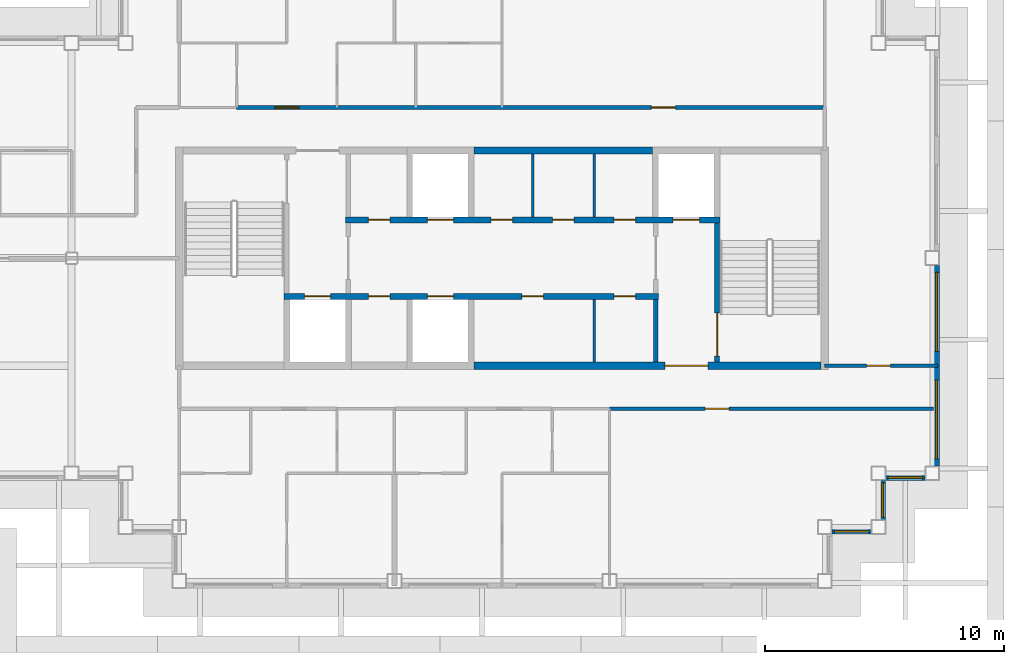
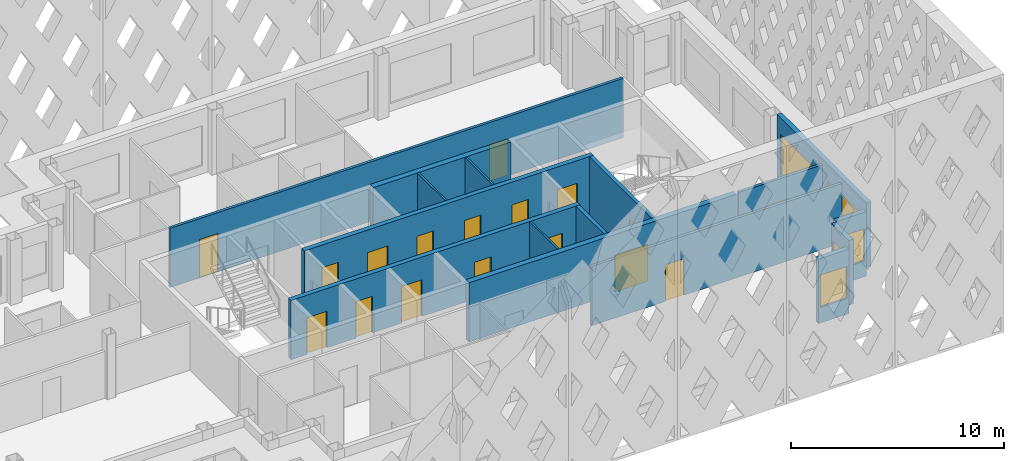
# One storey, part 5 of 15: 17 doors, 16 walls, 5 windows, 22 openings.
"""IFC4 building model written with IfcOpenShell, lengths in metres."""

from ifc_helpers import new_model, si_unit, direction, frame, frame_2d, origin, place, context, subcontext, project, spatial, rectangle, extrude, material, layer, layer_set, type_object, element, fill, save


model = new_model("IFC4")

# Units and contexts
model_context = context("Model", 3, precision=1e-05, world=origin(), true_north=direction((0.0, 1.0)))
body_context = subcontext(model_context, "Body", "Model", "MODEL_VIEW")
ifc_project = project(units=[si_unit("LENGTHUNIT", "METRE"), si_unit("AREAUNIT", "SQUARE_METRE"), si_unit("VOLUMEUNIT", "CUBIC_METRE"), si_unit("PLANEANGLEUNIT", "RADIAN"), si_unit("MASSUNIT", "GRAM", prefix="KILO")], contexts=[model_context])

# Site, building, storey
site_placement = place(None, origin())
site = spatial("IfcSite", under=ifc_project, at=site_placement, CompositionType="ELEMENT")
building_placement = place(site_placement, origin())
building = spatial("IfcBuilding", under=site, at=building_placement, Name="Caravel Reach Hotel and Residences", CompositionType="ELEMENT")
storey_placement = place(building_placement, frame((0.0, 0.0, 252.699951171875)))
storey = spatial("IfcBuildingStorey", under=building, at=storey_placement, Name="L64", CompositionType="ELEMENT", Elevation=252.699951171875)

# Wall
ifc_material_1 = material(Name="Autoclaved aerated block wall")
ifc_layer_1 = layer(ifc_material_1, 0.199951171875)
ifc_layer_set_1 = layer_set([ifc_layer_1], Name="Compartment wall 200 mm EI 120")
wall_type_1 = type_object("IfcWallType", Name="Compartment wall 200 mm EI 120", PredefinedType="PARTITIONING", material=ifc_layer_set_1)
wall_1_placement = place(storey_placement, frame((37.928466796875, 22.64990234375, 0.0), z_axis=(0.0, 0.0, 1.0), x_axis=(0.0, 1.0, 0.0)))
element("IfcWall", 1, at=wall_1_placement, inside=storey, type_object=wall_type_1, Name="L64 store partition", PredefinedType="PARTITIONING", context=body_context, shape_type="SweptSolid", body=[
    extrude(rectangle(XDim=2.625, YDim=0.199951171875, at=frame_2d((1.3125, 0.0))), origin(), (0.0, 0.0, 1.0), 3.400146484375),
])

# Wall, opening, door
ifc_material_2 = material(Name="Concrete C60", Category="concrete")
ifc_layer_2 = layer(ifc_material_2, 0.300048828125)
ifc_layer_set_2 = layer_set([ifc_layer_2], Name="Core wall 300 mm EI 120")
wall_type_2 = type_object("IfcWallType", Name="Core wall 300 mm EI 120", PredefinedType="SHEAR", material=ifc_layer_set_2)
wall_2_placement = place(storey_placement, frame((30.33935546875, 22.5, 0.0), z_axis=(0.0, 0.0, 1.0), x_axis=(1.0, 0.0, 0.0)))
wall_2 = element("IfcWall", 2, at=wall_2_placement, inside=storey, type_object=wall_type_2, Name="L64 core wall S3", PredefinedType="SHEAR", context=body_context, shape_type="SweptSolid", body=[
    extrude(rectangle(XDim=14.5107421875, YDim=0.300048828125, at=frame_2d((7.25537109375, 0.0))), origin(), (0.0, 0.0, 1.0), 3.400146484375),
])
opening_1_placement = place(wall_2_placement, frame((7.97509765625, 0.0, 0.0)))
opening_1 = element("IfcOpeningElement", 3, at=opening_1_placement, cuts=wall_2, Name="Opening D64-017", PredefinedType="OPENING", context=body_context, shape_type="SweptSolid", body=[
    extrude(rectangle(XDim=1.800048828125, YDim=2.10009765625, at=frame_2d((0.89990234375, 1.050048828125))), frame((0.0, 0.159912109375, 0.0), z_axis=(0.0, -1.0, 0.0), x_axis=(1.0, 0.0, 0.0)), (0.0, 0.0, 1.0), 0.320068359375),
])
ifc_material_3 = material(Name="Steel fire door leaf", Category="steel")
door_type_1 = type_object("IfcDoorType", Name="Fire lobby door pair 1800 x 2100 EI 90", OperationType="DOUBLE_DOOR_SINGLE_SWING", PredefinedType="DOOR", material=ifc_material_3)
door_1_placement = place(opening_1_placement, origin())
door_1 = element("IfcDoor", 4, at=door_1_placement, inside=storey, type_object=door_type_1, Name="lobby S door pair to corridor", OperationType="DOUBLE_DOOR_SINGLE_SWING", OverallHeight=2.10009765625, OverallWidth=1.800048828125, PredefinedType="DOOR", context=body_context, shape_type="SweptSolid", body=[
    extrude(rectangle(XDim=1.800048828125, YDim=2.10009765625, at=frame_2d((0.89990234375, 1.050048828125))), frame((0.0, 0.02490234375, 0.0), z_axis=(0.0, -1.0, 0.0), x_axis=(1.0, 0.0, 0.0)), (0.0, 0.0, 1.0), 0.050048828125),
])
fill(opening_1, door_1)

# Wall
wall_3_placement = place(storey_placement, frame((30.33935546875, 31.5, 0.0), z_axis=(0.0, 0.0, 1.0), x_axis=(1.0, 0.0, 0.0)))
element("IfcWall", 5, at=wall_3_placement, inside=storey, type_object=wall_type_2, Name="L64 core wall N2", PredefinedType="SHEAR", context=body_context, shape_type="SweptSolid", body=[
    extrude(rectangle(XDim=7.464111328125, YDim=0.300048828125, at=frame_2d((3.73193359375, 0.0))), origin(), (0.0, 0.0, 1.0), 3.400146484375),
])

# Wall, opening, door
ifc_material_4 = material(Name="Gypsum board on steel stud, fire-rated", Category="steel")
ifc_layer_3 = layer(ifc_material_4, 0.14990234375)
ifc_layer_set_3 = layer_set([ifc_layer_3], Name="Corridor wall 150 mm EI 60")
wall_type_3 = type_object("IfcWallType", Name="Corridor wall 150 mm EI 60", PredefinedType="PARTITIONING", material=ifc_layer_set_3)
wall_4_placement = place(storey_placement, frame((36.0, 20.699951171875, 0.0), z_axis=(0.0, 0.0, 1.0), x_axis=(1.0, 0.0, 0.0)))
wall_4 = element("IfcWall", 6, at=wall_4_placement, inside=storey, type_object=wall_type_3, Name="L64 wall w005", PredefinedType="PARTITIONING", context=body_context, shape_type="SweptSolid", body=[
    extrude(rectangle(XDim=13.550048828125, YDim=0.14990234375, at=frame_2d((6.77490234375, 0.0))), origin(), (0.0, 0.0, 1.0), 3.400146484375),
])
opening_2_placement = place(wall_4_placement, frame((4.0, 0.0, 0.0)))
opening_2 = element("IfcOpeningElement", 7, at=opening_2_placement, cuts=wall_4, Name="Opening D64-038", PredefinedType="OPENING", context=body_context, shape_type="SweptSolid", body=[
    extrude(rectangle(XDim=1.0, YDim=2.10009765625, at=frame_2d((0.5, 1.050048828125))), frame((0.0, 0.0849609375, 0.0), z_axis=(0.0, -1.0, 0.0), x_axis=(1.0, 0.0, 0.0)), (0.0, 0.0, 1.0), 0.169921875),
])
ifc_material_5 = material(Name="Steel fire door leaf", Category="steel")
door_type_2 = type_object("IfcDoorType", Name="Fire door 1000 x 2100 EI 60", OperationType="SINGLE_SWING_LEFT", PredefinedType="DOOR", material=ifc_material_5)
door_2_placement = place(opening_2_placement, origin())
door_2 = element("IfcDoor", 8, at=door_2_placement, inside=storey, type_object=door_type_2, Name="door D64-038", OperationType="SINGLE_SWING_LEFT", OverallHeight=2.10009765625, OverallWidth=1.0, PredefinedType="DOOR", context=body_context, shape_type="SweptSolid", body=[
    extrude(rectangle(XDim=1.0, YDim=2.10009765625, at=frame_2d((0.5, 1.050048828125))), frame((0.0, 0.02490234375, 0.0), z_axis=(0.0, -1.0, 0.0), x_axis=(1.0, 0.0, 0.0)), (0.0, 0.0, 1.0), 0.050048828125),
])
fill(opening_2, door_2)

wall_5_placement = place(storey_placement, frame((45.0, 22.5, 0.0), z_axis=(0.0, 0.0, 1.0), x_axis=(1.0, 0.0, 0.0)))
wall_5 = element("IfcWall", 9, at=wall_5_placement, inside=storey, type_object=wall_type_3, Name="L64 wall w007", PredefinedType="PARTITIONING", context=body_context, shape_type="SweptSolid", body=[
    extrude(rectangle(XDim=4.739990234375, YDim=0.14990234375, at=frame_2d((2.3701171875, 0.0))), origin(), (0.0, 0.0, 1.0), 3.400146484375),
])
opening_3_placement = place(wall_5_placement, frame((1.75, 0.0, 0.0)))
opening_3 = element("IfcOpeningElement", 10, at=opening_3_placement, cuts=wall_5, Name="Opening D64-040", PredefinedType="OPENING", context=body_context, shape_type="SweptSolid", body=[
    extrude(rectangle(XDim=1.0, YDim=2.10009765625, at=frame_2d((0.5, 1.050048828125))), frame((0.0, 0.0849609375, 0.0), z_axis=(0.0, -1.0, 0.0), x_axis=(1.0, 0.0, 0.0)), (0.0, 0.0, 1.0), 0.169921875),
])
door_3_placement = place(opening_3_placement, origin())
door_3 = element("IfcDoor", 11, at=door_3_placement, inside=storey, type_object=door_type_2, Name="door D64-040", OperationType="SINGLE_SWING_RIGHT", OverallHeight=2.10009765625, OverallWidth=1.0, PredefinedType="DOOR", context=body_context, shape_type="SweptSolid", body=[
    extrude(rectangle(XDim=1.0, YDim=2.10009765625, at=frame_2d((0.5, 1.050048828125))), frame((0.0, 0.02490234375, 0.0), z_axis=(0.0, -1.0, 0.0), x_axis=(1.0, 0.0, 0.0)), (0.0, 0.0, 1.0), 0.050048828125),
])
fill(opening_3, door_3)

# Wall, openings, doors
wall_6_placement = place(storey_placement, frame((20.39990234375, 33.300048828125, 0.0), z_axis=(0.0, 0.0, 1.0), x_axis=(1.0, 0.0, 0.0)))
wall_6 = element("IfcWall", 12, at=wall_6_placement, inside=storey, type_object=wall_type_3, Name="L64 wall w012", PredefinedType="PARTITIONING", context=body_context, shape_type="SweptSolid", body=[
    extrude(rectangle(XDim=24.60009765625, YDim=0.14990234375, at=frame_2d((12.300048828125, 0.0))), origin(), (0.0, 0.0, 1.0), 3.400146484375),
])
opening_4_placement = place(wall_6_placement, frame((1.60009765625, 0.0, 0.0)))
opening_4 = element("IfcOpeningElement", 13, at=opening_4_placement, cuts=wall_6, Name="Opening D64-018", PredefinedType="OPENING", context=body_context, shape_type="SweptSolid", body=[
    extrude(rectangle(XDim=1.0, YDim=2.199951171875, at=frame_2d((0.5, 1.10009765625))), frame((0.0, 0.0849609375, 0.0), z_axis=(0.0, -1.0, 0.0), x_axis=(1.0, 0.0, 0.0)), (0.0, 0.0, 1.0), 0.169921875),
])
opening_5_placement = place(wall_6_placement, frame((17.35009765625, 0.0, 0.0)))
opening_5 = element("IfcOpeningElement", 14, at=opening_5_placement, cuts=wall_6, Name="Opening D64-024", PredefinedType="OPENING", context=body_context, shape_type="SweptSolid", body=[
    extrude(rectangle(XDim=1.0, YDim=2.10009765625, at=frame_2d((0.5, 1.050048828125))), frame((0.0, 0.0849609375, 0.0), z_axis=(0.0, -1.0, 0.0), x_axis=(1.0, 0.0, 0.0)), (0.0, 0.0, 1.0), 0.169921875),
])
door_4_placement = place(opening_5_placement, origin())
door_4 = element("IfcDoor", 15, at=door_4_placement, inside=storey, type_object=door_type_2, Name="door D64-024", OperationType="SINGLE_SWING_RIGHT", OverallHeight=2.10009765625, OverallWidth=1.0, PredefinedType="DOOR", context=body_context, shape_type="SweptSolid", body=[
    extrude(rectangle(XDim=1.0, YDim=2.10009765625, at=frame_2d((0.5, 1.050048828125))), frame((0.0, 0.02490234375, 0.0), z_axis=(0.0, -1.0, 0.0), x_axis=(1.0, 0.0, 0.0)), (0.0, 0.0, 1.0), 0.050048828125),
])
fill(opening_5, door_4)
ifc_material_6 = material(Name="Steel fire door leaf", Category="steel")
door_type_3 = type_object("IfcDoorType", Name="Flat entrance door 1000 x 2200 EI 60", OperationType="SINGLE_SWING_LEFT", PredefinedType="DOOR", material=ifc_material_6)
door_5_placement = place(opening_4_placement, origin())
door_5 = element("IfcDoor", 16, at=door_5_placement, inside=storey, type_object=door_type_3, Name="door D64-018", OperationType="SINGLE_SWING_RIGHT", OverallHeight=2.199951171875, OverallWidth=1.0, PredefinedType="DOOR", context=body_context, shape_type="SweptSolid", body=[
    extrude(rectangle(XDim=1.0, YDim=2.199951171875, at=frame_2d((0.5, 1.10009765625))), frame((0.0, 0.02490234375, 0.0), z_axis=(0.0, -1.0, 0.0), x_axis=(1.0, 0.0, 0.0)), (0.0, 0.0, 1.0), 0.050048828125),
])
fill(opening_4, door_5)

# Wall, opening, window
ifc_material_7 = material(Name="Insulated rainscreen wall, aluminium cladding", Category="aluminium")
ifc_layer_4 = layer(ifc_material_7, 0.25)
ifc_layer_set_4 = layer_set([ifc_layer_4], Name="EW1 Tower rainscreen wall")
wall_type_4 = type_object("IfcWallType", Name="EW1 Tower rainscreen wall", PredefinedType="SOLIDWALL", material=ifc_layer_set_4)
wall_7_placement = place(storey_placement, frame((45.300048828125, 15.574951171875, 0.0), z_axis=(0.0, 0.0, 1.0), x_axis=(1.0, 0.0, 0.0)))
wall_7 = element("IfcWall", 17, at=wall_7_placement, inside=storey, type_object=wall_type_4, Name="External wall L64 S6.1", PredefinedType="SOLIDWALL", context=body_context, shape_type="SweptSolid", body=[
    extrude(rectangle(XDim=1.64990234375, YDim=0.25, at=frame_2d((0.824951171875, 0.0))), origin(), (0.0, 0.0, 1.0), 3.699951171875),
])
opening_6_placement = place(wall_7_placement, frame((0.10009765625, 0.0, 0.89990234375)))
opening_6 = element("IfcOpeningElement", 18, at=opening_6_placement, cuts=wall_7, Name="Opening WN25", PredefinedType="OPENING", context=body_context, shape_type="SweptSolid", body=[
    extrude(rectangle(XDim=1.449951171875, YDim=1.85009765625, at=frame_2d((0.72509765625, 0.925048828125))), frame((0.0, 0.135009765625, 0.0), z_axis=(0.0, -1.0, 0.0), x_axis=(1.0, 0.0, 0.0)), (0.0, 0.0, 1.0), 0.27001953125),
])
ifc_material_8 = material(Name="Dark low-e glazing in black aluminium frame", Category="aluminium")
window_type_1 = type_object("IfcWindowType", Name="Residence bedroom window 1450 x 1850", PartitioningType="SINGLE_PANEL", PredefinedType="WINDOW", material=ifc_material_8)
window_1_placement = place(opening_6_placement, origin())
window_1 = element("IfcWindow", 19, at=window_1_placement, inside=storey, type_object=window_type_1, Name="Window L64 S6.1.1", OverallHeight=1.85009765625, OverallWidth=1.449951171875, PartitioningType="SINGLE_PANEL", PredefinedType="WINDOW", context=body_context, shape_type="SweptSolid", body=[
    extrude(rectangle(XDim=1.449951171875, YDim=1.85009765625, at=frame_2d((0.72509765625, 0.925048828125))), frame((0.0, 0.030029296875, 0.0), z_axis=(0.0, -1.0, 0.0), x_axis=(1.0, 0.0, 0.0)), (0.0, 0.0, 1.0), 0.06005859375),
])
fill(opening_6, window_1)

wall_8_placement = place(storey_placement, frame((47.425048828125, 16.050048828125, 0.0), z_axis=(0.0, 0.0, 1.0), x_axis=(0.0, 1.0, 0.0)))
wall_8 = element("IfcWall", 20, at=wall_8_placement, inside=storey, type_object=wall_type_4, Name="External wall L64 E7.1", PredefinedType="SOLIDWALL", context=body_context, shape_type="SweptSolid", body=[
    extrude(rectangle(XDim=1.64990234375, YDim=0.25, at=frame_2d((0.824951171875, 0.0))), origin(), (0.0, 0.0, 1.0), 3.699951171875),
])
opening_7_placement = place(wall_8_placement, frame((0.10009765625, 0.0, 0.89990234375)))
opening_7 = element("IfcOpeningElement", 21, at=opening_7_placement, cuts=wall_8, Name="Opening WN25", PredefinedType="OPENING", context=body_context, shape_type="SweptSolid", body=[
    extrude(rectangle(XDim=1.449951171875, YDim=1.85009765625, at=frame_2d((0.72509765625, 0.925048828125))), frame((0.0, 0.135009765625, 0.0), z_axis=(0.0, -1.0, 0.0), x_axis=(1.0, 0.0, 0.0)), (0.0, 0.0, 1.0), 0.27001953125),
])
window_2_placement = place(opening_7_placement, origin())
window_2 = element("IfcWindow", 22, at=window_2_placement, inside=storey, type_object=window_type_1, Name="Window L64 E7.1.1", OverallHeight=1.85009765625, OverallWidth=1.449951171875, PartitioningType="SINGLE_PANEL", PredefinedType="WINDOW", context=body_context, shape_type="SweptSolid", body=[
    extrude(rectangle(XDim=1.449951171875, YDim=1.85009765625, at=frame_2d((0.72509765625, 0.925048828125))), frame((0.0, 0.030029296875, 0.0), z_axis=(0.0, -1.0, 0.0), x_axis=(1.0, 0.0, 0.0)), (0.0, 0.0, 1.0), 0.06005859375),
])
fill(opening_7, window_2)

wall_9_placement = place(storey_placement, frame((47.550048828125, 17.824951171875, 0.0), z_axis=(0.0, 0.0, 1.0), x_axis=(1.0, 0.0, 0.0)))
wall_9 = element("IfcWall", 23, at=wall_9_placement, inside=storey, type_object=wall_type_4, Name="External wall L64 S8.1", PredefinedType="SOLIDWALL", context=body_context, shape_type="SweptSolid", body=[
    extrude(rectangle(XDim=1.64990234375, YDim=0.25, at=frame_2d((0.824951171875, 0.0))), origin(), (0.0, 0.0, 1.0), 3.699951171875),
])
opening_8_placement = place(wall_9_placement, frame((0.10009765625, 0.0, 0.89990234375)))
opening_8 = element("IfcOpeningElement", 24, at=opening_8_placement, cuts=wall_9, Name="Opening WN25", PredefinedType="OPENING", context=body_context, shape_type="SweptSolid", body=[
    extrude(rectangle(XDim=1.449951171875, YDim=1.85009765625, at=frame_2d((0.72509765625, 0.925048828125))), frame((0.0, 0.135009765625, 0.0), z_axis=(0.0, -1.0, 0.0), x_axis=(1.0, 0.0, 0.0)), (0.0, 0.0, 1.0), 0.27001953125),
])
window_3_placement = place(opening_8_placement, origin())
window_3 = element("IfcWindow", 25, at=window_3_placement, inside=storey, type_object=window_type_1, Name="Window L64 S8.1.1", OverallHeight=1.85009765625, OverallWidth=1.449951171875, PartitioningType="SINGLE_PANEL", PredefinedType="WINDOW", context=body_context, shape_type="SweptSolid", body=[
    extrude(rectangle(XDim=1.449951171875, YDim=1.85009765625, at=frame_2d((0.72509765625, 0.925048828125))), frame((0.0, 0.030029296875, 0.0), z_axis=(0.0, -1.0, 0.0), x_axis=(1.0, 0.0, 0.0)), (0.0, 0.0, 1.0), 0.06005859375),
])
fill(opening_8, window_3)

# Wall, openings, windows
wall_10_placement = place(storey_placement, frame((49.675048828125, 18.300048828125, 0.0), z_axis=(0.0, 0.0, 1.0), x_axis=(0.0, 1.0, 0.0)))
wall_10 = element("IfcWall", 26, at=wall_10_placement, inside=storey, type_object=wall_type_4, Name="External wall L64 E9.1", PredefinedType="SOLIDWALL", context=body_context, shape_type="SweptSolid", body=[
    extrude(rectangle(XDim=8.39990234375, YDim=0.25, at=frame_2d((4.199951171875, 0.0))), origin(), (0.0, 0.0, 1.0), 3.699951171875),
])
opening_9_placement = place(wall_10_placement, frame((0.300048828125, 0.0, 0.449951171875)))
opening_9 = element("IfcOpeningElement", 27, at=opening_9_placement, cuts=wall_10, Name="Opening WN15", PredefinedType="OPENING", context=body_context, shape_type="SweptSolid", body=[
    extrude(rectangle(XDim=3.300048828125, YDim=2.300048828125, at=frame_2d((1.64990234375, 1.14990234375))), frame((0.0, 0.135009765625, 0.0), z_axis=(0.0, -1.0, 0.0), x_axis=(1.0, 0.0, 0.0)), (0.0, 0.0, 1.0), 0.27001953125),
])
opening_10_placement = place(wall_10_placement, frame((4.800048828125, 0.0, 0.449951171875)))
opening_10 = element("IfcOpeningElement", 28, at=opening_10_placement, cuts=wall_10, Name="Opening WN15", PredefinedType="OPENING", context=body_context, shape_type="SweptSolid", body=[
    extrude(rectangle(XDim=3.300048828125, YDim=2.300048828125, at=frame_2d((1.64990234375, 1.14990234375))), frame((0.0, 0.135009765625, 0.0), z_axis=(0.0, -1.0, 0.0), x_axis=(1.0, 0.0, 0.0)), (0.0, 0.0, 1.0), 0.27001953125),
])
ifc_material_9 = material(Name="Dark low-e glazing in black aluminium frame", Category="aluminium")
window_type_2 = type_object("IfcWindowType", Name="Residence living window 3300 x 2300", PartitioningType="SINGLE_PANEL", PredefinedType="WINDOW", material=ifc_material_9)
window_4_placement = place(opening_9_placement, origin())
window_4 = element("IfcWindow", 29, at=window_4_placement, inside=storey, type_object=window_type_2, Name="Window L64 E9.1.1", OverallHeight=2.300048828125, OverallWidth=3.300048828125, PartitioningType="SINGLE_PANEL", PredefinedType="WINDOW", context=body_context, shape_type="SweptSolid", body=[
    extrude(rectangle(XDim=3.300048828125, YDim=2.300048828125, at=frame_2d((1.64990234375, 1.14990234375))), frame((0.0, 0.030029296875, 0.0), z_axis=(0.0, -1.0, 0.0), x_axis=(1.0, 0.0, 0.0)), (0.0, 0.0, 1.0), 0.06005859375),
])
fill(opening_9, window_4)
window_5_placement = place(opening_10_placement, origin())
window_5 = element("IfcWindow", 30, at=window_5_placement, inside=storey, type_object=window_type_2, Name="Window L64 E9.1.2", OverallHeight=2.300048828125, OverallWidth=3.300048828125, PartitioningType="SINGLE_PANEL", PredefinedType="WINDOW", context=body_context, shape_type="SweptSolid", body=[
    extrude(rectangle(XDim=3.300048828125, YDim=2.300048828125, at=frame_2d((1.64990234375, 1.14990234375))), frame((0.0, 0.030029296875, 0.0), z_axis=(0.0, -1.0, 0.0), x_axis=(1.0, 0.0, 0.0)), (0.0, 0.0, 1.0), 0.06005859375),
])
fill(opening_10, window_5)

# Walls
ifc_material_10 = material(Name="Gypsum board on steel stud", Category="steel")
ifc_layer_5 = layer(ifc_material_10, 0.10009765625)
ifc_layer_set_5 = layer_set([ifc_layer_5], Name="Partition 100 mm")
wall_type_5 = type_object("IfcWallType", Name="Partition 100 mm", PredefinedType="PARTITIONING", material=ifc_layer_set_5)
for number, where, z_axis, x_axis, name in (
    (31, (35.357177734375, 22.64990234375, 0.0), (0.0, 0.0, 1.0), (0.0, 1.0, 0.0), "L64 store partition"),
    (32, (32.78564453125, 28.72509765625, 0.0), (0.0, 0.0, 1.0), (0.0, 1.0, 0.0), "L64 store partition"),
    (33, (35.357177734375, 28.72509765625, 0.0), (0.0, 0.0, 1.0), (0.0, 1.0, 0.0), "L64 store partition"),
):
    element("IfcWall", number, at=place(storey_placement, frame(where, z_axis=z_axis, x_axis=x_axis)), inside=storey, type_object=wall_type_5, Name=name, PredefinedType="PARTITIONING", context=body_context, shape_type="SweptSolid", body=[
        extrude(rectangle(XDim=2.625, YDim=0.10009765625, at=frame_2d((1.3125, 0.0))), origin(), (0.0, 0.0, 1.0), 3.400146484375),
    ])

# Wall, openings, doors
ifc_material_11 = material(Name="Concrete C60", Category="concrete")
ifc_layer_6 = layer(ifc_material_11, 0.25)
ifc_layer_set_6 = layer_set([ifc_layer_6], Name="Shaft wall 250 mm EI 120")
wall_type_6 = type_object("IfcWallType", Name="Shaft wall 250 mm EI 120", PredefinedType="SHEAR", material=ifc_layer_set_6)
wall_11_placement = place(storey_placement, frame((22.375, 25.39990234375, 0.0), z_axis=(0.0, 0.0, 1.0), x_axis=(1.0, 0.0, 0.0)))
wall_11 = element("IfcWall", 34, at=wall_11_placement, inside=storey, type_object=wall_type_6, Name="L64 lobby wall S1", PredefinedType="SHEAR", context=body_context, shape_type="SweptSolid", body=[
    extrude(rectangle(XDim=15.678466796875, YDim=0.25, at=frame_2d((7.83935546875, 0.0))), origin(), (0.0, 0.0, 1.0), 3.400146484375),
])
opening_11_placement = place(wall_11_placement, frame((6.003662109375, 0.0, 0.0)))
opening_11 = element("IfcOpeningElement", 35, at=opening_11_placement, cuts=wall_11, Name="Opening D64-001", PredefinedType="OPENING", context=body_context, shape_type="SweptSolid", body=[
    extrude(rectangle(XDim=1.10009765625, YDim=2.10009765625, at=frame_2d((0.550048828125, 1.050048828125))), frame((0.0, 0.135009765625, 0.0), z_axis=(0.0, -1.0, 0.0), x_axis=(1.0, 0.0, 0.0)), (0.0, 0.0, 1.0), 0.27001953125),
])
opening_12_placement = place(wall_11_placement, frame((0.860595703125, 0.0, 0.0)))
opening_12 = element("IfcOpeningElement", 36, at=opening_12_placement, cuts=wall_11, Name="Opening D64-003", PredefinedType="OPENING", context=body_context, shape_type="SweptSolid", body=[
    extrude(rectangle(XDim=1.10009765625, YDim=2.10009765625, at=frame_2d((0.550048828125, 1.050048828125))), frame((0.0, 0.135009765625, 0.0), z_axis=(0.0, -1.0, 0.0), x_axis=(1.0, 0.0, 0.0)), (0.0, 0.0, 1.0), 0.27001953125),
])
opening_13_placement = place(wall_11_placement, frame((3.531982421875, 0.0, 0.0)))
opening_13 = element("IfcOpeningElement", 37, at=opening_13_placement, cuts=wall_11, Name="Opening D64-005", PredefinedType="OPENING", context=body_context, shape_type="SweptSolid", body=[
    extrude(rectangle(XDim=0.89990234375, YDim=2.10009765625, at=frame_2d((0.449951171875, 1.050048828125))), frame((0.0, 0.135009765625, 0.0), z_axis=(0.0, -1.0, 0.0), x_axis=(1.0, 0.0, 0.0)), (0.0, 0.0, 1.0), 0.27001953125),
])
opening_14_placement = place(wall_11_placement, frame((9.960693359375, 0.0, 0.0)))
opening_14 = element("IfcOpeningElement", 38, at=opening_14_placement, cuts=wall_11, Name="Opening D64-006", PredefinedType="OPENING", context=body_context, shape_type="SweptSolid", body=[
    extrude(rectangle(XDim=0.89990234375, YDim=2.10009765625, at=frame_2d((0.449951171875, 1.050048828125))), frame((0.0, 0.135009765625, 0.0), z_axis=(0.0, -1.0, 0.0), x_axis=(1.0, 0.0, 0.0)), (0.0, 0.0, 1.0), 0.27001953125),
])
opening_15_placement = place(wall_11_placement, frame((13.81787109375, 0.0, 0.0)))
opening_15 = element("IfcOpeningElement", 39, at=opening_15_placement, cuts=wall_11, Name="Opening D64-007", PredefinedType="OPENING", context=body_context, shape_type="SweptSolid", body=[
    extrude(rectangle(XDim=0.89990234375, YDim=2.10009765625, at=frame_2d((0.449951171875, 1.050048828125))), frame((0.0, 0.135009765625, 0.0), z_axis=(0.0, -1.0, 0.0), x_axis=(1.0, 0.0, 0.0)), (0.0, 0.0, 1.0), 0.27001953125),
])
ifc_material_12 = material(Name="Stainless steel landing door", Category="steel")
door_type_4 = type_object("IfcDoorType", Name="Landing door LD 1100 x 2100 sliding", OperationType="DOUBLE_DOOR_SLIDING", PredefinedType="DOOR", material=ifc_material_12)
door_6_placement = place(opening_11_placement, origin())
door_6 = element("IfcDoor", 40, at=door_6_placement, inside=storey, type_object=door_type_4, Name="HP1 landing door", OperationType="DOUBLE_DOOR_SLIDING", OverallHeight=2.10009765625, OverallWidth=1.10009765625, PredefinedType="DOOR", context=body_context, shape_type="SweptSolid", body=[
    extrude(rectangle(XDim=1.10009765625, YDim=2.10009765625, at=frame_2d((0.550048828125, 1.050048828125))), frame((0.0, 0.02490234375, 0.0), z_axis=(0.0, -1.0, 0.0), x_axis=(1.0, 0.0, 0.0)), (0.0, 0.0, 1.0), 0.050048828125),
])
fill(opening_11, door_6)
door_7_placement = place(opening_12_placement, origin())
door_7 = element("IfcDoor", 41, at=door_7_placement, inside=storey, type_object=door_type_4, Name="FL1 landing door", OperationType="DOUBLE_DOOR_SLIDING", OverallHeight=2.10009765625, OverallWidth=1.10009765625, PredefinedType="DOOR", context=body_context, shape_type="SweptSolid", body=[
    extrude(rectangle(XDim=1.10009765625, YDim=2.10009765625, at=frame_2d((0.550048828125, 1.050048828125))), frame((0.0, 0.02490234375, 0.0), z_axis=(0.0, -1.0, 0.0), x_axis=(1.0, 0.0, 0.0)), (0.0, 0.0, 1.0), 0.050048828125),
])
fill(opening_12, door_7)
ifc_material_13 = material(Name="Steel fire door leaf", Category="steel")
door_type_5 = type_object("IfcDoorType", Name="Riser door 900 x 2100 EI 60", OperationType="SINGLE_SWING_LEFT", PredefinedType="DOOR", material=ifc_material_13)
door_8_placement = place(opening_13_placement, origin())
door_8 = element("IfcDoor", 42, at=door_8_placement, inside=storey, type_object=door_type_5, Name="Mail store door", OperationType="SINGLE_SWING_LEFT", OverallHeight=2.10009765625, OverallWidth=0.89990234375, PredefinedType="DOOR", context=body_context, shape_type="SweptSolid", body=[
    extrude(rectangle(XDim=0.89990234375, YDim=2.10009765625, at=frame_2d((0.449951171875, 1.050048828125))), frame((0.0, 0.02490234375, 0.0), z_axis=(0.0, -1.0, 0.0), x_axis=(1.0, 0.0, 0.0)), (0.0, 0.0, 1.0), 0.050048828125),
])
fill(opening_13, door_8)
door_9_placement = place(opening_14_placement, origin())
door_9 = element("IfcDoor", 43, at=door_9_placement, inside=storey, type_object=door_type_5, Name="Package store door", OperationType="SINGLE_SWING_LEFT", OverallHeight=2.10009765625, OverallWidth=0.89990234375, PredefinedType="DOOR", context=body_context, shape_type="SweptSolid", body=[
    extrude(rectangle(XDim=0.89990234375, YDim=2.10009765625, at=frame_2d((0.449951171875, 1.050048828125))), frame((0.0, 0.02490234375, 0.0), z_axis=(0.0, -1.0, 0.0), x_axis=(1.0, 0.0, 0.0)), (0.0, 0.0, 1.0), 0.050048828125),
])
fill(opening_14, door_9)
door_10_placement = place(opening_15_placement, origin())
door_10 = element("IfcDoor", 44, at=door_10_placement, inside=storey, type_object=door_type_5, Name="Water tank room door", OperationType="SINGLE_SWING_LEFT", OverallHeight=2.10009765625, OverallWidth=0.89990234375, PredefinedType="DOOR", context=body_context, shape_type="SweptSolid", body=[
    extrude(rectangle(XDim=0.89990234375, YDim=2.10009765625, at=frame_2d((0.449951171875, 1.050048828125))), frame((0.0, 0.02490234375, 0.0), z_axis=(0.0, -1.0, 0.0), x_axis=(1.0, 0.0, 0.0)), (0.0, 0.0, 1.0), 0.050048828125),
])
fill(opening_15, door_10)

wall_12_placement = place(storey_placement, frame((24.946533203125, 28.60009765625, 0.0), z_axis=(0.0, 0.0, 1.0), x_axis=(1.0, 0.0, 0.0)))
wall_12 = element("IfcWall", 45, at=wall_12_placement, inside=storey, type_object=wall_type_6, Name="L64 lobby wall N1", PredefinedType="SHEAR", context=body_context, shape_type="SweptSolid", body=[
    extrude(rectangle(XDim=15.678466796875, YDim=0.25, at=frame_2d((7.83935546875, 0.0))), origin(), (0.0, 0.0, 1.0), 3.400146484375),
])
opening_16_placement = place(wall_12_placement, frame((3.43212890625, 0.0, 0.0)))
opening_16 = element("IfcOpeningElement", 46, at=opening_16_placement, cuts=wall_12, Name="Opening D64-002", PredefinedType="OPENING", context=body_context, shape_type="SweptSolid", body=[
    extrude(rectangle(XDim=1.10009765625, YDim=2.10009765625, at=frame_2d((0.550048828125, 1.050048828125))), frame((0.0, 0.135009765625, 0.0), z_axis=(0.0, -1.0, 0.0), x_axis=(1.0, 0.0, 0.0)), (0.0, 0.0, 1.0), 0.27001953125),
])
opening_17_placement = place(wall_12_placement, frame((13.718017578125, 0.0, 0.0)))
opening_17 = element("IfcOpeningElement", 47, at=opening_17_placement, cuts=wall_12, Name="Opening D64-004", PredefinedType="OPENING", context=body_context, shape_type="SweptSolid", body=[
    extrude(rectangle(XDim=1.10009765625, YDim=2.10009765625, at=frame_2d((0.550048828125, 1.050048828125))), frame((0.0, 0.135009765625, 0.0), z_axis=(0.0, -1.0, 0.0), x_axis=(1.0, 0.0, 0.0)), (0.0, 0.0, 1.0), 0.27001953125),
])
opening_18_placement = place(wall_12_placement, frame((0.960693359375, 0.0, 0.0)))
opening_18 = element("IfcOpeningElement", 48, at=opening_18_placement, cuts=wall_12, Name="Opening D64-008", PredefinedType="OPENING", context=body_context, shape_type="SweptSolid", body=[
    extrude(rectangle(XDim=0.89990234375, YDim=2.10009765625, at=frame_2d((0.449951171875, 1.050048828125))), frame((0.0, 0.135009765625, 0.0), z_axis=(0.0, -1.0, 0.0), x_axis=(1.0, 0.0, 0.0)), (0.0, 0.0, 1.0), 0.27001953125),
])
opening_19_placement = place(wall_12_placement, frame((6.103515625, 0.0, 0.0)))
opening_19 = element("IfcOpeningElement", 49, at=opening_19_placement, cuts=wall_12, Name="Opening D64-009", PredefinedType="OPENING", context=body_context, shape_type="SweptSolid", body=[
    extrude(rectangle(XDim=0.89990234375, YDim=2.10009765625, at=frame_2d((0.449951171875, 1.050048828125))), frame((0.0, 0.135009765625, 0.0), z_axis=(0.0, -1.0, 0.0), x_axis=(1.0, 0.0, 0.0)), (0.0, 0.0, 1.0), 0.27001953125),
])
opening_20_placement = place(wall_12_placement, frame((8.675048828125, 0.0, 0.0)))
opening_20 = element("IfcOpeningElement", 50, at=opening_20_placement, cuts=wall_12, Name="Opening D64-010", PredefinedType="OPENING", context=body_context, shape_type="SweptSolid", body=[
    extrude(rectangle(XDim=0.89990234375, YDim=2.10009765625, at=frame_2d((0.449951171875, 1.050048828125))), frame((0.0, 0.135009765625, 0.0), z_axis=(0.0, -1.0, 0.0), x_axis=(1.0, 0.0, 0.0)), (0.0, 0.0, 1.0), 0.27001953125),
])
opening_21_placement = place(wall_12_placement, frame((11.246337890625, 0.0, 0.0)))
opening_21 = element("IfcOpeningElement", 51, at=opening_21_placement, cuts=wall_12, Name="Opening D64-011", PredefinedType="OPENING", context=body_context, shape_type="SweptSolid", body=[
    extrude(rectangle(XDim=0.89990234375, YDim=2.10009765625, at=frame_2d((0.449951171875, 1.050048828125))), frame((0.0, 0.135009765625, 0.0), z_axis=(0.0, -1.0, 0.0), x_axis=(1.0, 0.0, 0.0)), (0.0, 0.0, 1.0), 0.27001953125),
])
door_11_placement = place(opening_16_placement, origin())
door_11 = element("IfcDoor", 52, at=door_11_placement, inside=storey, type_object=door_type_4, Name="HP2 landing door", OperationType="DOUBLE_DOOR_SLIDING", OverallHeight=2.10009765625, OverallWidth=1.10009765625, PredefinedType="DOOR", context=body_context, shape_type="SweptSolid", body=[
    extrude(rectangle(XDim=1.10009765625, YDim=2.10009765625, at=frame_2d((0.550048828125, 1.050048828125))), frame((0.0, 0.02490234375, 0.0), z_axis=(0.0, -1.0, 0.0), x_axis=(1.0, 0.0, 0.0)), (0.0, 0.0, 1.0), 0.050048828125),
])
fill(opening_16, door_11)
door_12_placement = place(opening_17_placement, origin())
door_12 = element("IfcDoor", 53, at=door_12_placement, inside=storey, type_object=door_type_4, Name="FL2 landing door", OperationType="DOUBLE_DOOR_SLIDING", OverallHeight=2.10009765625, OverallWidth=1.10009765625, PredefinedType="DOOR", context=body_context, shape_type="SweptSolid", body=[
    extrude(rectangle(XDim=1.10009765625, YDim=2.10009765625, at=frame_2d((0.550048828125, 1.050048828125))), frame((0.0, 0.02490234375, 0.0), z_axis=(0.0, -1.0, 0.0), x_axis=(1.0, 0.0, 0.0)), (0.0, 0.0, 1.0), 0.050048828125),
])
fill(opening_17, door_12)
door_13_placement = place(opening_18_placement, origin())
door_13 = element("IfcDoor", 54, at=door_13_placement, inside=storey, type_object=door_type_5, Name="Residents' store door", OperationType="SINGLE_SWING_LEFT", OverallHeight=2.10009765625, OverallWidth=0.89990234375, PredefinedType="DOOR", context=body_context, shape_type="SweptSolid", body=[
    extrude(rectangle(XDim=0.89990234375, YDim=2.10009765625, at=frame_2d((0.449951171875, 1.050048828125))), frame((0.0, 0.02490234375, 0.0), z_axis=(0.0, -1.0, 0.0), x_axis=(1.0, 0.0, 0.0)), (0.0, 0.0, 1.0), 0.050048828125),
])
fill(opening_18, door_13)
door_14_placement = place(opening_19_placement, origin())
door_14 = element("IfcDoor", 55, at=door_14_placement, inside=storey, type_object=door_type_5, Name="Linen store door", OperationType="SINGLE_SWING_LEFT", OverallHeight=2.10009765625, OverallWidth=0.89990234375, PredefinedType="DOOR", context=body_context, shape_type="SweptSolid", body=[
    extrude(rectangle(XDim=0.89990234375, YDim=2.10009765625, at=frame_2d((0.449951171875, 1.050048828125))), frame((0.0, 0.02490234375, 0.0), z_axis=(0.0, -1.0, 0.0), x_axis=(1.0, 0.0, 0.0)), (0.0, 0.0, 1.0), 0.050048828125),
])
fill(opening_19, door_14)
door_15_placement = place(opening_20_placement, origin())
door_15 = element("IfcDoor", 56, at=door_15_placement, inside=storey, type_object=door_type_5, Name="Cleaners' room door", OperationType="SINGLE_SWING_LEFT", OverallHeight=2.10009765625, OverallWidth=0.89990234375, PredefinedType="DOOR", context=body_context, shape_type="SweptSolid", body=[
    extrude(rectangle(XDim=0.89990234375, YDim=2.10009765625, at=frame_2d((0.449951171875, 1.050048828125))), frame((0.0, 0.02490234375, 0.0), z_axis=(0.0, -1.0, 0.0), x_axis=(1.0, 0.0, 0.0)), (0.0, 0.0, 1.0), 0.050048828125),
])
fill(opening_20, door_15)
door_16_placement = place(opening_21_placement, origin())
door_16 = element("IfcDoor", 57, at=door_16_placement, inside=storey, type_object=door_type_5, Name="Electrical riser room door", OperationType="SINGLE_SWING_LEFT", OverallHeight=2.10009765625, OverallWidth=0.89990234375, PredefinedType="DOOR", context=body_context, shape_type="SweptSolid", body=[
    extrude(rectangle(XDim=0.89990234375, YDim=2.10009765625, at=frame_2d((0.449951171875, 1.050048828125))), frame((0.0, 0.02490234375, 0.0), z_axis=(0.0, -1.0, 0.0), x_axis=(1.0, 0.0, 0.0)), (0.0, 0.0, 1.0), 0.050048828125),
])
fill(opening_21, door_16)

# Wall, opening, door
ifc_material_14 = material(Name="Concrete C60", Category="concrete")
ifc_layer_7 = layer(ifc_material_14, 0.199951171875)
ifc_layer_set_7 = layer_set([ifc_layer_7], Name="Stair enclosure wall 200 mm EI 120")
wall_type_7 = type_object("IfcWallType", Name="Stair enclosure wall 200 mm EI 120", PredefinedType="SHEAR", material=ifc_layer_set_7)
wall_13_placement = place(storey_placement, frame((40.5, 22.64990234375, 0.0), z_axis=(0.0, 0.0, 1.0), x_axis=(0.0, 1.0, 0.0)))
wall_13 = element("IfcWall", 58, at=wall_13_placement, inside=storey, type_object=wall_type_7, Name="L64 stair B wall", PredefinedType="SHEAR", context=body_context, shape_type="SweptSolid", body=[
    extrude(rectangle(XDim=5.8251953125, YDim=0.199951171875, at=frame_2d((2.91259765625, 0.0))), origin(), (0.0, 0.0, 1.0), 3.400146484375),
])
opening_22_placement = place(wall_13_placement, frame((0.25, 0.0, 0.0)))
opening_22 = element("IfcOpeningElement", 59, at=opening_22_placement, cuts=wall_13, Name="Opening D64-013", PredefinedType="OPENING", context=body_context, shape_type="SweptSolid", body=[
    extrude(rectangle(XDim=1.800048828125, YDim=2.10009765625, at=frame_2d((0.89990234375, 1.050048828125))), frame((0.0, 0.10986328125, 0.0), z_axis=(0.0, -1.0, 0.0), x_axis=(1.0, 0.0, 0.0)), (0.0, 0.0, 1.0), 0.219970703125),
])
ifc_material_15 = material(Name="Steel fire door leaf", Category="steel")
door_type_6 = type_object("IfcDoorType", Name="Stair door pair 1800 x 2100 EI 90", OperationType="DOUBLE_DOOR_SINGLE_SWING", PredefinedType="DOOR", material=ifc_material_15)
door_17_placement = place(opening_22_placement, origin())
door_17 = element("IfcDoor", 60, at=door_17_placement, inside=storey, type_object=door_type_6, Name="stair B door pair", OperationType="DOUBLE_DOOR_SINGLE_SWING", OverallHeight=2.10009765625, OverallWidth=1.800048828125, PredefinedType="DOOR", context=body_context, shape_type="SweptSolid", body=[
    extrude(rectangle(XDim=1.800048828125, YDim=2.10009765625, at=frame_2d((0.89990234375, 1.050048828125))), frame((0.0, 0.02490234375, 0.0), z_axis=(0.0, -1.0, 0.0), x_axis=(1.0, 0.0, 0.0)), (0.0, 0.0, 1.0), 0.050048828125),
])
fill(opening_22, door_17)

save(model, "model.ifc")
